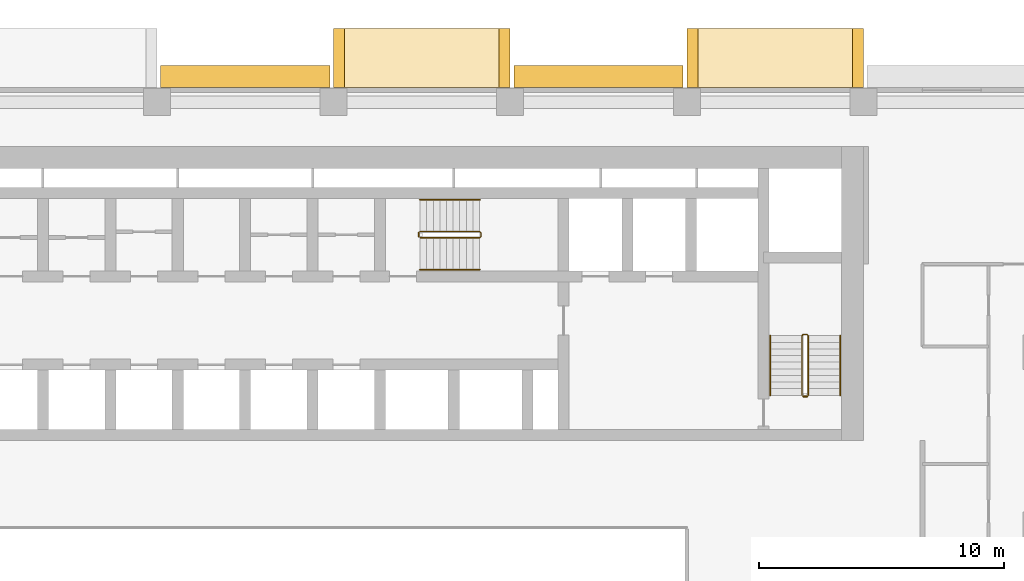
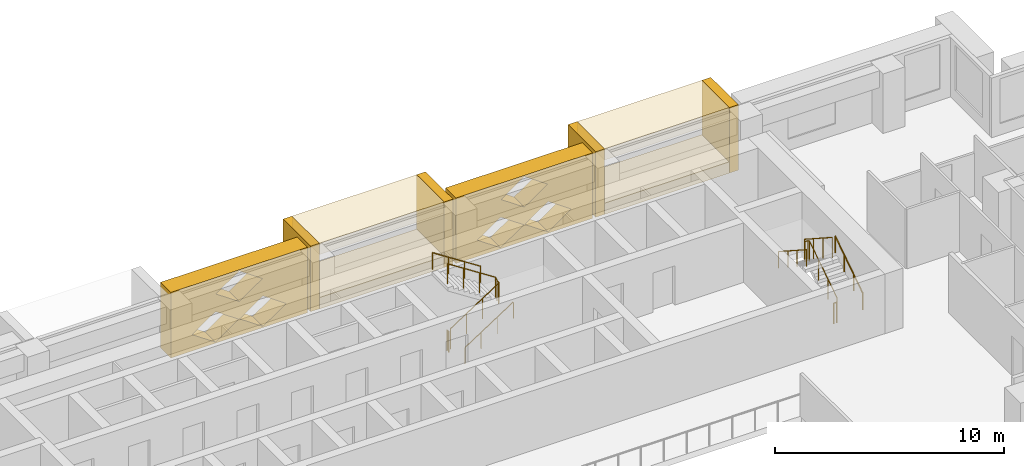
# One storey, part 16 of 17: 10 coverings, 8 railings.
"""IFC4 building model written with IfcOpenShell, lengths in metres."""

from ifc_helpers import new_model, si_unit, direction, frame, origin, origin_2d, place, context, subcontext, project, spatial, polyline, circle, outline, extrude, material, type_object, element, save


model = new_model("IFC4")

# Units and contexts
model_context = context("Model", 3, precision=1e-05, world=origin(), true_north=direction((0.0, 1.0)))
body_context = subcontext(model_context, "Body", "Model", "MODEL_VIEW")
ifc_project = project(units=[si_unit("LENGTHUNIT", "METRE"), si_unit("AREAUNIT", "SQUARE_METRE"), si_unit("VOLUMEUNIT", "CUBIC_METRE"), si_unit("PLANEANGLEUNIT", "RADIAN"), si_unit("MASSUNIT", "GRAM", prefix="KILO")], contexts=[model_context])

# Site, building, storey
site_placement = place(None, origin())
site = spatial("IfcSite", under=ifc_project, at=site_placement, CompositionType="ELEMENT")
building_placement = place(site_placement, origin())
building = spatial("IfcBuilding", under=site, at=building_placement, Name="Saffron Iwan Residences", CompositionType="ELEMENT")
storey_placement = place(building_placement, frame((0.0, 0.0, 55.0)))
storey = spatial("IfcBuildingStorey", under=building, at=storey_placement, Name="L13", CompositionType="ELEMENT", Elevation=55.0)

# Coverings
ifc_material_1 = material(Name="Precast concrete C40/50", Category="concrete")
covering_type_1 = type_object("IfcCoveringType", Name="OUTER SKIN LATTICE SCREEN", PredefinedType="CLADDING", material=ifc_material_1)
for number, where, z_axis, x_axis, name in (
    (1, (64.64990234375, 80.39990234375, -0.320068359375), (0.0, 1.0, 0.0), (-1.0, 0.0, 0.0), "OUTER SKIN lattice screen L13 F5.1"),
    (2, (50.25, 80.39990234375, -0.320068359375), (0.0, 1.0, 0.0), (-1.0, 0.0, 0.0), "OUTER SKIN lattice screen L13 F5.2"),
):
    element("IfcCovering", number, at=place(storey_placement, frame(where, z_axis=z_axis, x_axis=x_axis)), inside=storey, type_object=covering_type_1, Name=name, PredefinedType="CLADDING", context=body_context, shape_type="SweptSolid", body=[
        extrude(outline(polyline([(0.0, 0.0), (6.89990234375, 0.0), (6.89990234375, 3.5), (0.0, 3.5), (0.0, 0.0)]), holes=[polyline([(1.070068359375, 0.875), (2.25, 0.06005859375), (3.429931640625, 0.875), (2.25, 1.68994140625), (1.070068359375, 0.875)]), polyline([(3.469970703125, 0.875), (4.64990234375, 0.06005859375), (5.830078125, 0.875), (4.64990234375, 1.68994140625), (3.469970703125, 0.875)]), polyline([(2.27001953125, 2.625), (3.449951171875, 1.81005859375), (4.6298828125, 2.625), (3.449951171875, 3.43994140625), (2.27001953125, 2.625)])]), origin(), (0.0, 0.0, 1.0), 0.900146484375),
    ])

# Railings
ifc_material_2 = material(Name="Steel S355", Category="steel")
railing_type_1 = type_object("IfcRailingType", Name="Stair guard 1100", PredefinedType="GUARDRAIL", material=ifc_material_2)
railing_1_placement = place(storey_placement, frame((53.925048828125, 74.27490234375, 0.175048828125)))
element("IfcRailing", 3, at=railing_1_placement, inside=storey, type_object=railing_type_1, Name="L13 ST-C stair guard 1", PredefinedType="GUARDRAIL", context=body_context, shape_type="SweptSolid", body=[
    extrude(circle(Radius=0.02392578125, at=origin_2d()), frame((0.0, 0.0, 1.076171875), z_axis=(0.839153699163, 0.0, 0.543894354798), x_axis=(0.0, 1.0, 0.0)), (0.0, 0.0, 1.0), 2.895751953125),
    extrude(circle(Radius=0.02392578125, at=origin_2d()), frame((2.429931640625, 0.0, 2.65087890625), z_axis=(0.707106781187, 0.707106781187, 0.0), x_axis=(-0.707106781187, 0.707106781187, 0.0)), (0.0, 0.0, 1.0), 0.07080078125),
    extrude(circle(Radius=0.02392578125, at=origin_2d()), frame((2.47998046875, 0.050048828125, 2.65087890625), z_axis=(0.0, 1.0, 0.0), x_axis=(-1.0, 0.0, 0.0)), (0.0, 0.0, 1.0), 0.150146484375),
    extrude(circle(Radius=0.02392578125, at=origin_2d()), frame((2.47998046875, 0.2001953125, 2.65087890625), z_axis=(-0.265155923931, 0.263862480399, 0.927399011991), x_axis=(-0.705375805398, -0.708833529934, 0.0)), (0.0, 0.0, 1.0), 0.188720703125),
    extrude(circle(Radius=0.02392578125, at=origin_2d()), frame((2.429931640625, 0.25, 2.826171875), z_axis=(-0.839153699163, 0.0, 0.543894354798), x_axis=(0.0, -1.0, 0.0)), (0.0, 0.0, 1.0), 2.895751953125),
    extrude(circle(Radius=0.02099609375, at=origin_2d()), origin(), (0.0, 0.0, 1.0), 1.052001953125),
    extrude(circle(Radius=0.02099609375, at=origin_2d()), frame((0.81005859375, 0.0, 0.52490234375)), (0.0, 0.0, 1.0), 1.052001953125),
    extrude(circle(Radius=0.02099609375, at=origin_2d()), frame((1.619873046875, 0.0, 1.050048828125)), (0.0, 0.0, 1.0), 1.052001953125),
    extrude(circle(Radius=0.02099609375, at=origin_2d()), frame((2.429931640625, 0.0, 1.574951171875)), (0.0, 0.0, 1.0), 1.052001953125),
    extrude(circle(Radius=0.02099609375, at=origin_2d()), frame((2.47998046875, 0.050048828125, 1.574951171875)), (0.0, 0.0, 1.0), 1.052001953125),
    extrude(circle(Radius=0.02099609375, at=origin_2d()), frame((2.47998046875, 0.2001953125, 1.574951171875)), (0.0, 0.0, 1.0), 1.052001953125),
    extrude(circle(Radius=0.02099609375, at=origin_2d()), frame((2.429931640625, 0.25, 1.75)), (0.0, 0.0, 1.0), 1.052001953125),
    extrude(circle(Radius=0.02099609375, at=origin_2d()), frame((1.619873046875, 0.25, 2.27490234375)), (0.0, 0.0, 1.0), 1.052001953125),
    extrude(circle(Radius=0.02099609375, at=origin_2d()), frame((0.81005859375, 0.25, 2.800048828125)), (0.0, 0.0, 1.0), 1.052001953125),
    extrude(circle(Radius=0.02099609375, at=origin_2d()), frame((0.0, 0.25, 3.324951171875)), (0.0, 0.0, 1.0), 1.052001953125),
])
railing_2_placement = place(storey_placement, frame((53.875, 74.324951171875, 0.0)))
element("IfcRailing", 4, at=railing_2_placement, inside=storey, type_object=railing_type_1, Name="L13 ST-C stair guard 2", PredefinedType="GUARDRAIL", context=body_context, shape_type="SweptSolid", body=[
    extrude(circle(Radius=0.02392578125, at=origin_2d()), frame((0.0, 0.0, 1.076171875), z_axis=(0.0, 1.0, 0.0), x_axis=(-1.0, 0.0, 0.0)), (0.0, 0.0, 1.0), 0.150146484375),
    extrude(circle(Radius=0.02099609375, at=origin_2d()), origin(), (0.0, 0.0, 1.0), 1.052001953125),
    extrude(circle(Radius=0.02099609375, at=origin_2d()), frame((0.0, 0.150146484375, 0.0)), (0.0, 0.0, 1.0), 1.052001953125),
])
railing_3_placement = place(storey_placement, frame((69.75, 67.85009765625, 0.175048828125)))
element("IfcRailing", 5, at=railing_3_placement, inside=storey, type_object=railing_type_1, Name="L13 ST-E stair guard 1", PredefinedType="GUARDRAIL", context=body_context, shape_type="SweptSolid", body=[
    extrude(circle(Radius=0.02392578125, at=origin_2d()), frame((0.0, 0.0, 1.076171875), z_axis=(0.0, 0.839153699163, 0.543894354798), x_axis=(-1.0, 0.0, 0.0)), (0.0, 0.0, 1.0), 2.895751953125),
    extrude(circle(Radius=0.02392578125, at=origin_2d()), frame((0.0, 2.429931640625, 2.65087890625), z_axis=(-0.707106781187, 0.707106781187, 0.0), x_axis=(-0.707106781187, -0.707106781187, 0.0)), (0.0, 0.0, 1.0), 0.07080078125),
    extrude(circle(Radius=0.02392578125, at=origin_2d()), frame((-0.050048828125, 2.47998046875, 2.65087890625), z_axis=(-1.0, 0.0, 0.0), x_axis=(0.0, -1.0, 0.0)), (0.0, 0.0, 1.0), 0.14990234375),
    extrude(circle(Radius=0.02392578125, at=origin_2d()), frame((-0.199951171875, 2.47998046875, 2.65087890625), z_axis=(-0.265065253269, -0.265065253269, 0.927081885822), x_axis=(0.707106781187, -0.707106781187, 0.0)), (0.0, 0.0, 1.0), 0.188720703125),
    extrude(circle(Radius=0.02392578125, at=origin_2d()), frame((-0.25, 2.429931640625, 2.826171875), z_axis=(0.0, -0.839153699163, 0.543894354798), x_axis=(1.0, 0.0, 0.0)), (0.0, 0.0, 1.0), 2.895751953125),
    extrude(circle(Radius=0.02099609375, at=origin_2d()), origin(), (0.0, 0.0, 1.0), 1.052001953125),
    extrude(circle(Radius=0.02099609375, at=origin_2d()), frame((0.0, 0.81005859375, 0.52490234375)), (0.0, 0.0, 1.0), 1.052001953125),
    extrude(circle(Radius=0.02099609375, at=origin_2d()), frame((0.0, 1.619873046875, 1.050048828125)), (0.0, 0.0, 1.0), 1.052001953125),
    extrude(circle(Radius=0.02099609375, at=origin_2d()), frame((0.0, 2.429931640625, 1.574951171875)), (0.0, 0.0, 1.0), 1.052001953125),
    extrude(circle(Radius=0.02099609375, at=origin_2d()), frame((-0.050048828125, 2.47998046875, 1.574951171875)), (0.0, 0.0, 1.0), 1.052001953125),
    extrude(circle(Radius=0.02099609375, at=origin_2d()), frame((-0.199951171875, 2.47998046875, 1.574951171875)), (0.0, 0.0, 1.0), 1.052001953125),
    extrude(circle(Radius=0.02099609375, at=origin_2d()), frame((-0.25, 2.429931640625, 1.75)), (0.0, 0.0, 1.0), 1.052001953125),
    extrude(circle(Radius=0.02099609375, at=origin_2d()), frame((-0.25, 1.619873046875, 2.27490234375)), (0.0, 0.0, 1.0), 1.052001953125),
    extrude(circle(Radius=0.02099609375, at=origin_2d()), frame((-0.25, 0.81005859375, 2.800048828125)), (0.0, 0.0, 1.0), 1.052001953125),
    extrude(circle(Radius=0.02099609375, at=origin_2d()), frame((-0.25, 0.0, 3.324951171875)), (0.0, 0.0, 1.0), 1.052001953125),
])
railing_4_placement = place(storey_placement, frame((69.699951171875, 67.800048828125, 0.0)))
element("IfcRailing", 6, at=railing_4_placement, inside=storey, type_object=railing_type_1, Name="L13 ST-E stair guard 2", PredefinedType="GUARDRAIL", context=body_context, shape_type="SweptSolid", body=[
    extrude(circle(Radius=0.02392578125, at=origin_2d()), frame((0.0, 0.0, 1.076171875), z_axis=(-1.0, 0.0, 0.0), x_axis=(0.0, -1.0, 0.0)), (0.0, 0.0, 1.0), 0.14990234375),
    extrude(circle(Radius=0.02099609375, at=origin_2d()), origin(), (0.0, 0.0, 1.0), 1.052001953125),
    extrude(circle(Radius=0.02099609375, at=origin_2d()), frame((-0.14990234375, 0.0, 0.0)), (0.0, 0.0, 1.0), 1.052001953125),
])
ifc_material_3 = material(Name="Stainless steel 316", Category="steel")
railing_type_2 = type_object("IfcRailingType", Name="Stair handrail 900", PredefinedType="HANDRAIL", material=ifc_material_3)
railing_5_placement = place(storey_placement, frame((53.925048828125, 72.97509765625, 0.175048828125)))
element("IfcRailing", 7, at=railing_5_placement, inside=storey, type_object=railing_type_2, Name="L13 ST-C stair handrail 1", PredefinedType="HANDRAIL", context=body_context, shape_type="SweptSolid", body=[
    extrude(circle(Radius=0.02392578125, at=origin_2d()), frame((0.0, 0.0, 0.8759765625), z_axis=(0.839153699163, 0.0, 0.543894354798), x_axis=(0.0, 1.0, 0.0)), (0.0, 0.0, 1.0), 2.895751953125),
    extrude(circle(Radius=0.02099609375, at=origin_2d()), origin(), (0.0, 0.0, 1.0), 0.851806640625),
    extrude(circle(Radius=0.02099609375, at=origin_2d()), frame((0.81005859375, 0.0, 0.52490234375)), (0.0, 0.0, 1.0), 0.851806640625),
    extrude(circle(Radius=0.02099609375, at=origin_2d()), frame((1.619873046875, 0.0, 1.050048828125)), (0.0, 0.0, 1.0), 0.851806640625),
    extrude(circle(Radius=0.02099609375, at=origin_2d()), frame((2.429931640625, 0.0, 1.574951171875)), (0.0, 0.0, 1.0), 0.851806640625),
])
railing_6_placement = place(storey_placement, frame((56.35498046875, 75.824951171875, 1.925048828125)))
element("IfcRailing", 8, at=railing_6_placement, inside=storey, type_object=railing_type_2, Name="L13 ST-C stair handrail 2", PredefinedType="HANDRAIL", context=body_context, shape_type="SweptSolid", body=[
    extrude(circle(Radius=0.02392578125, at=origin_2d()), frame((0.0, 0.0, 0.8759765625), z_axis=(-0.839153699163, 0.0, 0.543894354798), x_axis=(0.0, -1.0, 0.0)), (0.0, 0.0, 1.0), 2.895751953125),
    extrude(circle(Radius=0.02099609375, at=origin_2d()), origin(), (0.0, 0.0, 1.0), 0.851806640625),
    extrude(circle(Radius=0.02099609375, at=origin_2d()), frame((-0.81005859375, 0.0, 0.52490234375)), (0.0, 0.0, 1.0), 0.851806640625),
    extrude(circle(Radius=0.02099609375, at=origin_2d()), frame((-1.619873046875, 0.0, 1.050048828125)), (0.0, 0.0, 1.0), 0.851806640625),
    extrude(circle(Radius=0.02099609375, at=origin_2d()), frame((-2.429931640625, 0.0, 1.574951171875)), (0.0, 0.0, 1.0), 0.851806640625),
])
railing_7_placement = place(storey_placement, frame((71.050048828125, 67.85009765625, 0.175048828125)))
element("IfcRailing", 9, at=railing_7_placement, inside=storey, type_object=railing_type_2, Name="L13 ST-E stair handrail 1", PredefinedType="HANDRAIL", context=body_context, shape_type="SweptSolid", body=[
    extrude(circle(Radius=0.02392578125, at=origin_2d()), frame((0.0, 0.0, 0.8759765625), z_axis=(0.0, 0.839153699163, 0.543894354798), x_axis=(-1.0, 0.0, 0.0)), (0.0, 0.0, 1.0), 2.895751953125),
    extrude(circle(Radius=0.02099609375, at=origin_2d()), origin(), (0.0, 0.0, 1.0), 0.851806640625),
    extrude(circle(Radius=0.02099609375, at=origin_2d()), frame((0.0, 0.81005859375, 0.52490234375)), (0.0, 0.0, 1.0), 0.851806640625),
    extrude(circle(Radius=0.02099609375, at=origin_2d()), frame((0.0, 1.619873046875, 1.050048828125)), (0.0, 0.0, 1.0), 0.851806640625),
    extrude(circle(Radius=0.02099609375, at=origin_2d()), frame((0.0, 2.429931640625, 1.574951171875)), (0.0, 0.0, 1.0), 0.851806640625),
])
railing_8_placement = place(storey_placement, frame((68.199951171875, 70.280029296875, 1.925048828125)))
element("IfcRailing", 10, at=railing_8_placement, inside=storey, type_object=railing_type_2, Name="L13 ST-E stair handrail 2", PredefinedType="HANDRAIL", context=body_context, shape_type="SweptSolid", body=[
    extrude(circle(Radius=0.02392578125, at=origin_2d()), frame((0.0, 0.0, 0.8759765625), z_axis=(0.0, -0.839153699163, 0.543894354798), x_axis=(1.0, 0.0, 0.0)), (0.0, 0.0, 1.0), 2.895751953125),
    extrude(circle(Radius=0.02099609375, at=origin_2d()), origin(), (0.0, 0.0, 1.0), 0.851806640625),
    extrude(circle(Radius=0.02099609375, at=origin_2d()), frame((0.0, -0.81005859375, 0.52490234375)), (0.0, 0.0, 1.0), 0.851806640625),
    extrude(circle(Radius=0.02099609375, at=origin_2d()), frame((0.0, -1.619873046875, 1.050048828125)), (0.0, 0.0, 1.0), 0.851806640625),
    extrude(circle(Radius=0.02099609375, at=origin_2d()), frame((0.0, -2.429931640625, 1.574951171875)), (0.0, 0.0, 1.0), 0.851806640625),
])

# Coverings
ifc_material_4 = material(Name="Precast concrete C40/50 white painted", Category="concrete")
covering_type_2 = type_object("IfcCoveringType", Name="WHITE SUN FRAME PRECAST", PredefinedType="CLADDING", material=ifc_material_4)
for number, where, z_axis, x_axis, name in (
    (11, (72.0, 80.39990234375, -0.320068359375), (0.0, 1.0, 0.0), (-1.0, 0.0, 0.0), "Sun frame L13 F5 10.8a"),
    (12, (65.25, 80.39990234375, -0.320068359375), (0.0, 1.0, 0.0), (-1.0, 0.0, 0.0), "Sun frame L13 F5 10.8b"),
):
    element("IfcCovering", number, at=place(storey_placement, frame(where, z_axis=z_axis, x_axis=x_axis)), inside=storey, type_object=covering_type_2, Name=name, PredefinedType="CLADDING", context=body_context, shape_type="SweptSolid", body=[
        extrude(outline(polyline([(0.0, 0.0), (0.449951171875, 0.0), (0.449951171875, 3.5), (0.0, 3.5), (0.0, 0.0)])), origin(), (0.0, 0.0, 1.0), 2.400146484375),
    ])
for number, where, z_axis, x_axis, name in (
    (13, (71.550048828125, 80.39990234375, 2.580078125), (0.0, 1.0, 0.0), (-1.0, 0.0, 0.0), "Sun frame L13 F5 10.8h"),
    (14, (71.550048828125, 80.39990234375, -0.320068359375), (0.0, 1.0, 0.0), (-1.0, 0.0, 0.0), "Sun frame L13 F5 10.8s"),
):
    element("IfcCovering", number, at=place(storey_placement, frame(where, z_axis=z_axis, x_axis=x_axis)), inside=storey, type_object=covering_type_2, Name=name, PredefinedType="CLADDING", context=body_context, shape_type="SweptSolid", body=[
        extrude(outline(polyline([(0.0, 0.0), (6.300048828125, 0.0), (6.300048828125, 0.60009765625), (0.0, 0.60009765625), (0.0, 0.0)])), origin(), (0.0, 0.0, 1.0), 2.400146484375),
    ])
for number, where, z_axis, x_axis, name in (
    (15, (57.60009765625, 80.39990234375, -0.320068359375), (0.0, 1.0, 0.0), (-1.0, 0.0, 0.0), "Sun frame L13 F5 25.2a"),
    (16, (50.85009765625, 80.39990234375, -0.320068359375), (0.0, 1.0, 0.0), (-1.0, 0.0, 0.0), "Sun frame L13 F5 25.2b"),
):
    element("IfcCovering", number, at=place(storey_placement, frame(where, z_axis=z_axis, x_axis=x_axis)), inside=storey, type_object=covering_type_2, Name=name, PredefinedType="CLADDING", context=body_context, shape_type="SweptSolid", body=[
        extrude(outline(polyline([(0.0, 0.0), (0.449951171875, 0.0), (0.449951171875, 3.5), (0.0, 3.5), (0.0, 0.0)])), origin(), (0.0, 0.0, 1.0), 2.400146484375),
    ])
for number, where, z_axis, x_axis, name in (
    (17, (57.14990234375, 80.39990234375, 2.580078125), (0.0, 1.0, 0.0), (-1.0, 0.0, 0.0), "Sun frame L13 F5 25.2h"),
    (18, (57.14990234375, 80.39990234375, -0.320068359375), (0.0, 1.0, 0.0), (-1.0, 0.0, 0.0), "Sun frame L13 F5 25.2s"),
):
    element("IfcCovering", number, at=place(storey_placement, frame(where, z_axis=z_axis, x_axis=x_axis)), inside=storey, type_object=covering_type_2, Name=name, PredefinedType="CLADDING", context=body_context, shape_type="SweptSolid", body=[
        extrude(outline(polyline([(0.0, 0.0), (6.300048828125, 0.0), (6.300048828125, 0.60009765625), (0.0, 0.60009765625), (0.0, 0.0)])), origin(), (0.0, 0.0, 1.0), 2.400146484375),
    ])

save(model, "model.ifc")
